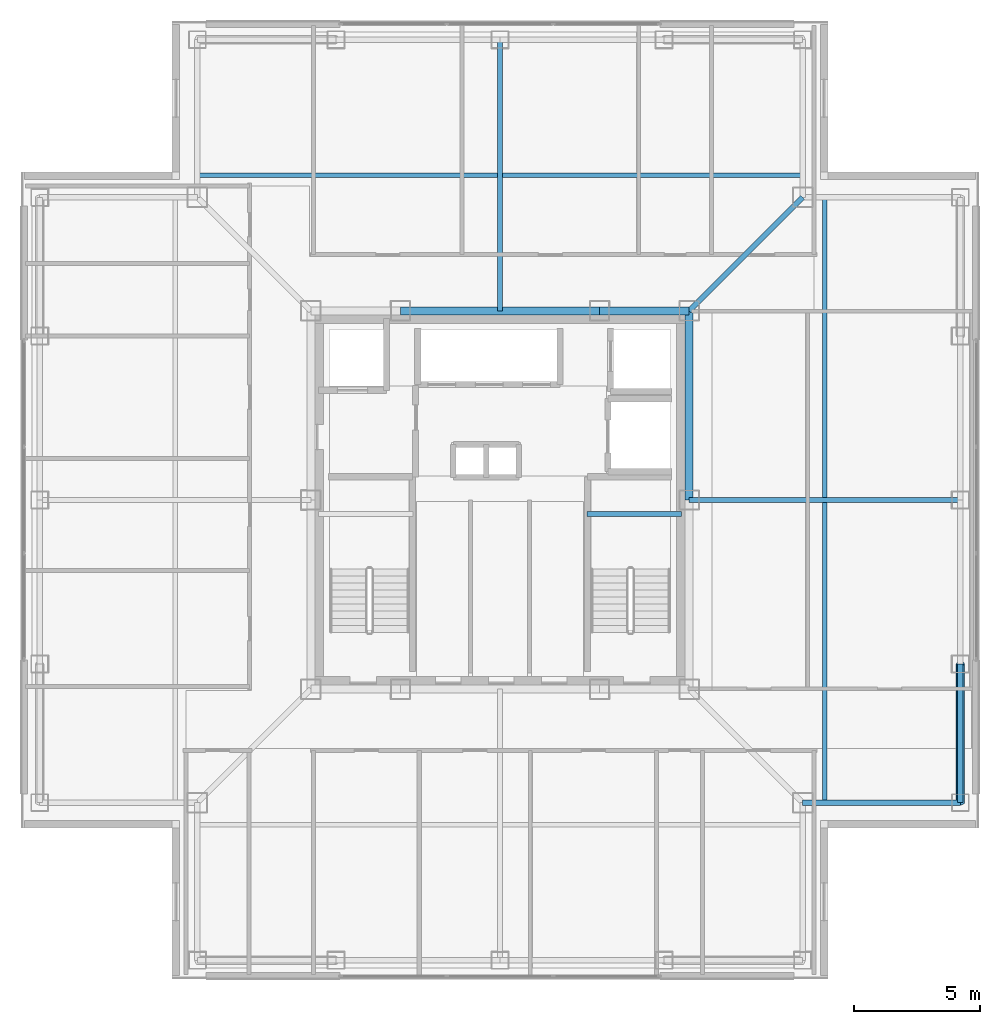
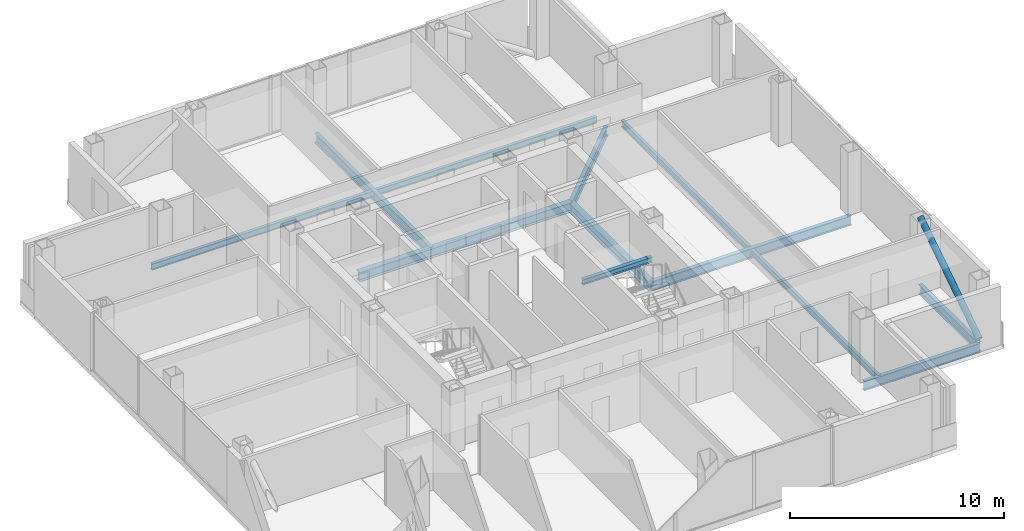
# One storey, part 5 of 16: 11 beams, 1 member.
"""IFC4 building model written with IfcOpenShell, lengths in metres."""

from ifc_helpers import new_model, si_unit, direction, frame, origin, origin_2d, place, context, subcontext, project, spatial, hollow_circle, i_section, extrude, material, material_profile, profile_set, type_object, element, save


model = new_model("IFC4")

# Units and contexts
model_context = context("Model", 3, precision=1e-05, world=origin(), true_north=direction((0.0, 1.0)))
body_context = subcontext(model_context, "Body", "Model", "MODEL_VIEW")
ifc_project = project(units=[si_unit("LENGTHUNIT", "METRE"), si_unit("AREAUNIT", "SQUARE_METRE"), si_unit("VOLUMEUNIT", "CUBIC_METRE"), si_unit("PLANEANGLEUNIT", "RADIAN"), si_unit("MASSUNIT", "GRAM", prefix="KILO")], contexts=[model_context])

# Site, building, storey
site_placement = place(None, origin())
site = spatial("IfcSite", under=ifc_project, at=site_placement, CompositionType="ELEMENT")
building_placement = place(site_placement, origin())
building = spatial("IfcBuilding", under=site, at=building_placement, Name="Trevonay Congress Spire", CompositionType="ELEMENT")
storey_placement = place(building_placement, frame((0.0, 0.0, 236.0)))
storey = spatial("IfcBuildingStorey", under=building, at=storey_placement, Name="L61", CompositionType="ELEMENT", Elevation=236.0)

# Beams
ifc_material_1 = material(Name="Steel ASTM A572 Grade 50", Category="steel")
ifc_material_profile_1 = material_profile(ifc_material_1, i_section(OverallWidth=0.2119140625, OverallDepth=0.5439453125, WebThickness=0.01318359375, FlangeThickness=0.021240234375, FilletRadius=0.014892578125, at=origin_2d()), Name="W530x123")
ifc_profile_set_1 = profile_set([ifc_material_profile_1], Name="Steel ASTM A572 Grade 50")
beam_type_1 = type_object("IfcBeamType", Name="BM-GIRD-W530X123", PredefinedType="BEAM", material=ifc_profile_set_1)
beam_1_placement = place(storey_placement, frame((7.5, 7.5, -0.511962890625), z_axis=(0.707106781187, 0.707106781187, 0.0), x_axis=(-0.707106781187, 0.707106781187, 0.0)))
element("IfcBeam", 1, at=beam_1_placement, inside=storey, type_object=beam_type_1, Name="L61 structural beam BM-L61-CDNE", PredefinedType="BEAM", context=body_context, shape_type="SweptSolid", body=[
    extrude(i_section(OverallWidth=0.2119140625, OverallDepth=0.5439453125, WebThickness=0.01318359375, FlangeThickness=0.021240234375, FilletRadius=0.014892578125, at=origin_2d()), origin(), (0.0, 0.0, 1.0), 6.364013671875),
])
for number, where, z_axis, x_axis, name in (
    (2, (0.0, 7.5, -0.511962890625), (0.0, 1.0, 0.0), (-1.0, 0.0, 0.0), "L61 structural beam BM-L61-GC-N"),
    (3, (7.5, 0.0, -0.511962890625), (1.0, 0.0, 0.0), (0.0, 1.0, 0.0), "L61 structural beam BM-L61-GC-E"),
):
    element("IfcBeam", number, at=place(storey_placement, frame(where, z_axis=z_axis, x_axis=x_axis)), inside=storey, type_object=beam_type_1, Name=name, PredefinedType="BEAM", context=body_context, shape_type="SweptSolid", body=[
        extrude(i_section(OverallWidth=0.2119140625, OverallDepth=0.5439453125, WebThickness=0.01318359375, FlangeThickness=0.021240234375, FilletRadius=0.014892578125, at=origin_2d()), origin(), (0.0, 0.0, 1.0), 10.75),
    ])
ifc_material_profile_2 = material_profile(ifc_material_1, i_section(OverallWidth=0.31201171875, OverallDepth=0.54296875, WebThickness=0.0126953125, FlangeThickness=0.020263671875, FilletRadius=0.014892578125, at=origin_2d()), Name="W530x150")
ifc_profile_set_2 = profile_set([ifc_material_profile_2], Name="Steel ASTM A572 Grade 50")
beam_type_2 = type_object("IfcBeamType", Name="BM-GIRD-W530X150", PredefinedType="BEAM", material=ifc_profile_set_2)
beam_2_placement = place(storey_placement, frame((-3.949951171875, 7.5, -0.511474609375), z_axis=(1.0, 0.0, 0.0), x_axis=(0.0, 1.0, 0.0)))
element("IfcBeam", 4, at=beam_2_placement, inside=storey, type_object=beam_type_2, Name="L61 structural beam BM-L61-CR-N2", PredefinedType="BEAM", context=body_context, shape_type="SweptSolid", body=[
    extrude(i_section(OverallWidth=0.31201171875, OverallDepth=0.54296875, WebThickness=0.0126953125, FlangeThickness=0.020263671875, FilletRadius=0.014892578125, at=origin_2d()), origin(), (0.0, 0.0, 1.0), 7.89990234375),
])
beam_3_placement = place(storey_placement, frame((3.949951171875, 7.5, -0.511474609375), z_axis=(1.0, 0.0, 0.0), x_axis=(0.0, 1.0, 0.0)))
element("IfcBeam", 5, at=beam_3_placement, inside=storey, type_object=beam_type_2, Name="L61 structural beam BM-L61-CR-N3", PredefinedType="BEAM", context=body_context, shape_type="SweptSolid", body=[
    extrude(i_section(OverallWidth=0.31201171875, OverallDepth=0.54296875, WebThickness=0.0126953125, FlangeThickness=0.020263671875, FilletRadius=0.014892578125, at=origin_2d()), origin(), (0.0, 0.0, 1.0), 3.550048828125),
])
beam_4_placement = place(storey_placement, frame((7.5, 0.0, -0.511474609375), z_axis=(0.0, 1.0, 0.0), x_axis=(-1.0, 0.0, 0.0)))
element("IfcBeam", 6, at=beam_4_placement, inside=storey, type_object=beam_type_2, Name="L61 structural beam BM-L61-CR-E2", PredefinedType="BEAM", context=body_context, shape_type="SweptSolid", body=[
    extrude(i_section(OverallWidth=0.31201171875, OverallDepth=0.54296875, WebThickness=0.0126953125, FlangeThickness=0.020263671875, FilletRadius=0.014892578125, at=origin_2d()), origin(), (0.0, 0.0, 1.0), 7.5),
])
ifc_material_profile_3 = material_profile(ifc_material_1, i_section(OverallWidth=0.208984375, OverallDepth=0.532958984375, WebThickness=0.01025390625, FlangeThickness=0.015625, FilletRadius=0.014892578125, at=origin_2d()), Name="W530x92")
ifc_profile_set_3 = profile_set([ifc_material_profile_3], Name="Steel ASTM A572 Grade 50")
beam_type_3 = type_object("IfcBeamType", Name="BM-RING-W530X92", PredefinedType="BEAM", material=ifc_profile_set_3)
beam_5_placement = place(storey_placement, frame((18.25, -12.0, -0.506591796875), z_axis=(0.0, 1.0, 0.0), x_axis=(-1.0, 0.0, 0.0)))
element("IfcBeam", 7, at=beam_5_placement, inside=storey, type_object=beam_type_3, Name="L61 structural beam BM-L61-PE1", PredefinedType="BEAM", context=body_context, shape_type="SweptSolid", body=[
    extrude(i_section(OverallWidth=0.208984375, OverallDepth=0.532958984375, WebThickness=0.01025390625, FlangeThickness=0.015625, FilletRadius=0.014892578125, at=origin_2d()), origin(), (0.0, 0.0, 1.0), 5.5),
])
beam_6_placement = place(storey_placement, frame((18.25, -12.0, -0.506591796875), z_axis=(-1.0, 0.0, 0.0), x_axis=(0.0, -1.0, 0.0)))
element("IfcBeam", 8, at=beam_6_placement, inside=storey, type_object=beam_type_3, Name="L61 structural beam BM-L61-N2SE", PredefinedType="BEAM", context=body_context, shape_type="SweptSolid", body=[
    extrude(i_section(OverallWidth=0.208984375, OverallDepth=0.532958984375, WebThickness=0.01025390625, FlangeThickness=0.015625, FilletRadius=0.014892578125, at=origin_2d()), origin(), (0.0, 0.0, 1.0), 6.25),
])
ifc_material_profile_4 = material_profile(ifc_material_1, i_section(OverallWidth=0.172119140625, OverallDepth=0.35791015625, WebThickness=0.0078125, FlangeThickness=0.01318359375, FilletRadius=0.011962890625, at=origin_2d()), Name="W360x57.8")
ifc_profile_set_4 = profile_set([ifc_material_profile_4], Name="Steel ASTM A572 Grade 50")
beam_type_4 = type_object("IfcBeamType", Name="JS-COMP-W360X57", PredefinedType="JOIST", material=ifc_profile_set_4)
for number, where, z_axis, x_axis, name in (
    (9, (-12.0, 12.875, -0.4189453125), (1.0, 0.0, 0.0), (0.0, 1.0, 0.0), "L61 structural beam JS-L61-RING-N"),
    (10, (12.875, -12.0, -0.4189453125), (0.0, 1.0, 0.0), (-1.0, 0.0, 0.0), "L61 structural beam JS-L61-RING-E"),
):
    element("IfcBeam", number, at=place(storey_placement, frame(where, z_axis=z_axis, x_axis=x_axis)), inside=storey, type_object=beam_type_4, Name=name, PredefinedType="JOIST", context=body_context, shape_type="SweptSolid", body=[
        extrude(i_section(OverallWidth=0.172119140625, OverallDepth=0.35791015625, WebThickness=0.0078125, FlangeThickness=0.01318359375, FilletRadius=0.011962890625, at=origin_2d()), origin(), (0.0, 0.0, 1.0), 24.0),
    ])
ifc_material_profile_5 = material_profile(ifc_material_1, i_section(OverallWidth=0.2041015625, OverallDepth=0.305908203125, WebThickness=0.008544921875, FlangeThickness=0.0146484375, FilletRadius=0.010986328125, at=origin_2d()), Name="W310x67")
ifc_profile_set_5 = profile_set([ifc_material_profile_5], Name="Steel ASTM A572 Grade 50")
beam_type_5 = type_object("IfcBeamType", Name="LN-CORE-W310X67", PredefinedType="LINTEL", material=ifc_profile_set_5)
beam_7_placement = place(storey_placement, frame((3.449951171875, -0.550048828125, 1.447021484375), z_axis=(1.0, 0.0, 0.0), x_axis=(0.0, 1.0, 0.0)))
element("IfcBeam", 11, at=beam_7_placement, inside=storey, type_object=beam_type_5, Name="L61 structural beam BM-L61-HL-ST2", PredefinedType="LINTEL", context=body_context, shape_type="SweptSolid", body=[
    extrude(i_section(OverallWidth=0.2041015625, OverallDepth=0.305908203125, WebThickness=0.008544921875, FlangeThickness=0.0146484375, FilletRadius=0.010986328125, at=origin_2d()), origin(), (0.0, 0.0, 1.0), 3.75),
])

# Member
ifc_material_2 = material(Name="Steel ASTM A500 Grade C", Category="steel")
ifc_material_profile_6 = material_profile(ifc_material_2, hollow_circle(Radius=0.161865234375, WallThickness=0.01611328125, at=origin_2d()), Name="CHS 323.9x16")
ifc_profile_set_6 = profile_set([ifc_material_profile_6], Name="Steel ASTM A500 Grade C")
member_type = type_object("IfcMemberType", Name="MBR-TUBE-CHS324", PredefinedType="BRACE", material=ifc_profile_set_6)
member_placement = place(storey_placement, frame((18.25, -12.0, -0.050048828125), z_axis=(0.0, 0.836694709366, 0.547669574943), x_axis=(-1.0, 0.0, 0.0)))
element("IfcMember", 12, at=member_placement, inside=storey, type_object=member_type, Name="L61 perimeter braced-tube diagonal E0", PredefinedType="BRACE", context=body_context, shape_type="SweptSolid", body=[
    extrude(hollow_circle(Radius=0.161865234375, WallThickness=0.01611328125, at=origin_2d()), origin(), (0.0, 0.0, 1.0), 6.573486328125),
])

save(model, "model.ifc")
